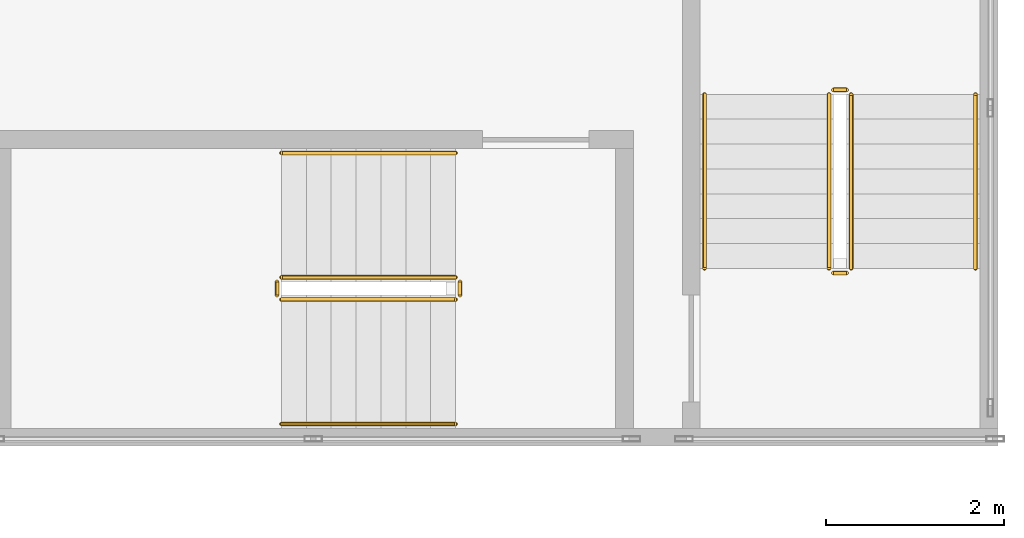
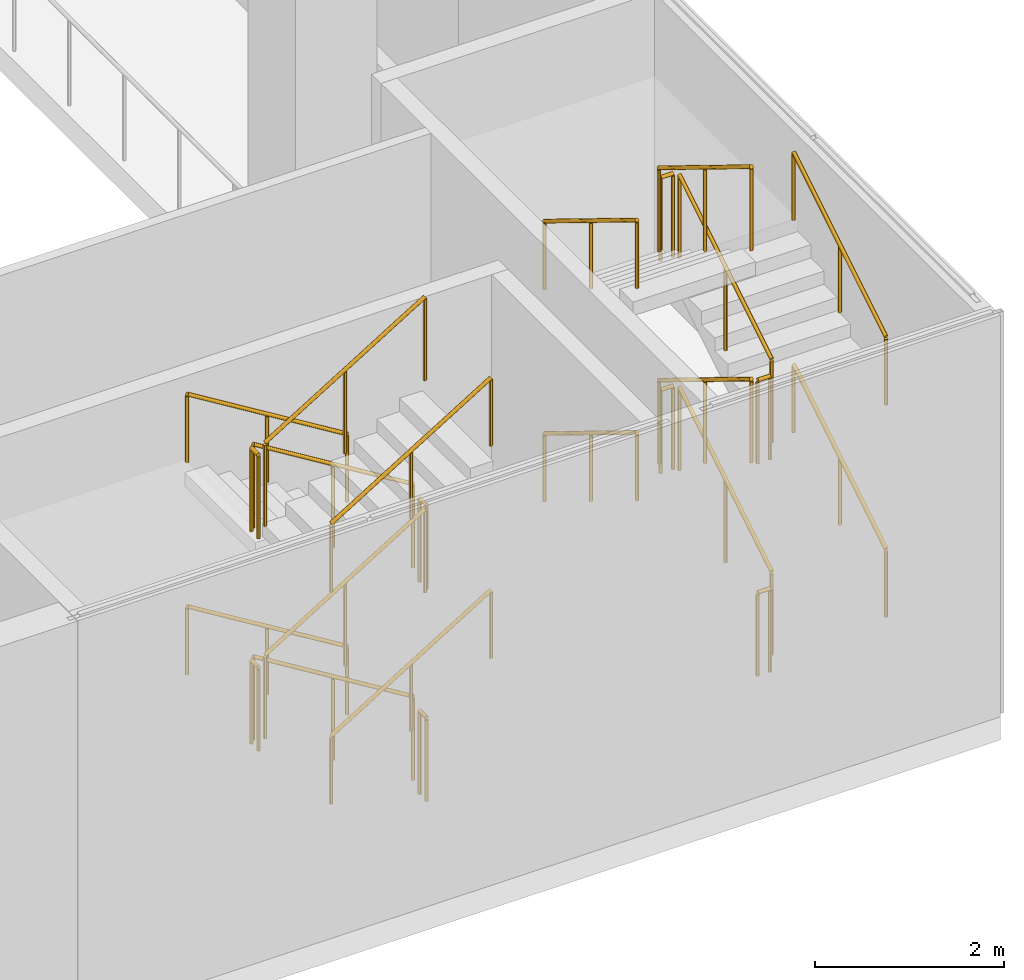
# One storey, part 21 of 23: 24 railings.
"""IFC4 building model written with IfcOpenShell, lengths in metres."""

from ifc_helpers import new_model, si_unit, direction, frame, origin, origin_2d, place, context, subcontext, project, spatial, circle, extrude, source, transform, mapped, material, type_object, element, save


model = new_model("IFC4")

# Units and contexts
model_context = context("Model", 3, precision=1e-05, world=origin(), true_north=direction((0.0, 1.0)))
body_context = subcontext(model_context, "Body", "Model", "MODEL_VIEW")
ifc_project = project(units=[si_unit("LENGTHUNIT", "METRE"), si_unit("AREAUNIT", "SQUARE_METRE"), si_unit("VOLUMEUNIT", "CUBIC_METRE"), si_unit("PLANEANGLEUNIT", "RADIAN"), si_unit("MASSUNIT", "GRAM", prefix="KILO")], contexts=[model_context])

# Site, building, storey
site_placement = place(None, origin())
site = spatial("IfcSite", under=ifc_project, at=site_placement, CompositionType="ELEMENT")
building_placement = place(site_placement, origin())
building = spatial("IfcBuilding", under=site, at=building_placement, Name="Khomas Fold Tower", CompositionType="ELEMENT")
storey_placement = place(building_placement, frame((0.0, 0.0, 13.0)))
storey = spatial("IfcBuildingStorey", under=building, at=storey_placement, Name="L02", CompositionType="ELEMENT", Elevation=13.0)

# Railings
ifc_material_1 = material(Name="Steel balustrade", Category="steel")
railing_type_1 = type_object("IfcRailingType", Name="Stair guard", PredefinedType="GUARDRAIL", material=ifc_material_1)
shared_shape_1 = source(origin(), body_context, "Body", "SweptSolid", [
    extrude(circle(Radius=0.02392578125, at=origin_2d()), frame((0.0, 0.0, 1.076171875), z_axis=(0.852240978134, 0.0, 0.523149419562), x_axis=(0.0, 1.0, 0.0)), (0.0, 0.0, 1.0), 2.2998046875),
    extrude(circle(Radius=0.02099609375, at=origin_2d()), origin(), (0.0, 0.0, 1.0), 1.052001953125),
    extrude(circle(Radius=0.02099609375, at=origin_2d()), frame((0.97998046875, 0.0, 0.6015625)), (0.0, 0.0, 1.0), 1.052001953125),
    extrude(circle(Radius=0.02099609375, at=origin_2d()), frame((1.9599609375, 0.0, 1.203125)), (0.0, 0.0, 1.0), 1.052001953125),
])
for number, where, name in (
    (1, (72.93994140625, 1.64990234375, 1.546875), "L02 PS3 stair guard 3"),
    (2, (72.93994140625, 1.64990234375, 4.296875), "L02 PS3 stair guard 7"),
):
    element("IfcRailing", number, at=place(storey_placement, frame(where)), inside=storey, type_object=railing_type_1, Name=name, PredefinedType="GUARDRAIL", context=body_context, shape_type="MappedRepresentation", body=[
        mapped(shared_shape_1, transform((0.0, 0.0, 0.0))),
    ])
shared_shape_2 = source(origin(), body_context, "Body", "SweptSolid", [
    extrude(circle(Radius=0.02392578125, at=origin_2d()), frame((0.0, 0.0, 1.076171875), z_axis=(-0.852240978134, 0.0, 0.523149419562), x_axis=(0.0, -1.0, 0.0)), (0.0, 0.0, 1.0), 2.2998046875),
    extrude(circle(Radius=0.02099609375, at=origin_2d()), origin(), (0.0, 0.0, 1.0), 1.052001953125),
    extrude(circle(Radius=0.02099609375, at=origin_2d()), frame((-0.97998046875, 0.0, 0.6015625)), (0.0, 0.0, 1.0), 1.052001953125),
    extrude(circle(Radius=0.02099609375, at=origin_2d()), frame((-1.9599609375, 0.0, 1.203125)), (0.0, 0.0, 1.0), 1.052001953125),
])
for number, where, name in (
    (3, (74.89990234375, 1.89990234375, 0.171875), "L02 PS3 stair guard 1"),
    (4, (74.89990234375, 1.89990234375, 2.921875), "L02 PS3 stair guard 5"),
):
    element("IfcRailing", number, at=place(storey_placement, frame(where)), inside=storey, type_object=railing_type_1, Name=name, PredefinedType="GUARDRAIL", context=body_context, shape_type="MappedRepresentation", body=[
        mapped(shared_shape_2, transform((0.0, 0.0, 0.0))),
    ])
ifc_material_2 = material(Name="Steel handrail", Category="steel")
railing_type_2 = type_object("IfcRailingType", Name="Stair handrail", PredefinedType="HANDRAIL", material=ifc_material_2)
shared_shape_3 = source(origin(), body_context, "Body", "SweptSolid", [
    extrude(circle(Radius=0.02392578125, at=origin_2d()), frame((0.0, 0.0, 0.8759765625), z_axis=(0.852240978134, 0.0, 0.523149419562), x_axis=(0.0, 1.0, 0.0)), (0.0, 0.0, 1.0), 2.2998046875),
    extrude(circle(Radius=0.02099609375, at=origin_2d()), origin(), (0.0, 0.0, 1.0), 0.851806640625),
    extrude(circle(Radius=0.02099609375, at=origin_2d()), frame((0.97998046875, 0.0, 0.6015625)), (0.0, 0.0, 1.0), 0.851806640625),
    extrude(circle(Radius=0.02099609375, at=origin_2d()), frame((1.9599609375, 0.0, 1.203125)), (0.0, 0.0, 1.0), 0.851806640625),
])
for number, where, name in (
    (5, (72.93994140625, 0.25, 1.546875), "L02 PS3 stair handrail 2"),
    (6, (72.93994140625, 0.25, 4.296875), "L02 PS3 stair handrail 4"),
):
    element("IfcRailing", number, at=place(storey_placement, frame(where)), inside=storey, type_object=railing_type_2, Name=name, PredefinedType="HANDRAIL", context=body_context, shape_type="MappedRepresentation", body=[
        mapped(shared_shape_3, transform((0.0, 0.0, 0.0))),
    ])
shared_shape_4 = source(origin(), body_context, "Body", "SweptSolid", [
    extrude(circle(Radius=0.02392578125, at=origin_2d()), frame((0.0, 0.0, 0.8759765625), z_axis=(-0.852240978134, 0.0, 0.523149419562), x_axis=(0.0, -1.0, 0.0)), (0.0, 0.0, 1.0), 2.2998046875),
    extrude(circle(Radius=0.02099609375, at=origin_2d()), origin(), (0.0, 0.0, 1.0), 0.851806640625),
    extrude(circle(Radius=0.02099609375, at=origin_2d()), frame((-0.97998046875, 0.0, 0.6015625)), (0.0, 0.0, 1.0), 0.851806640625),
    extrude(circle(Radius=0.02099609375, at=origin_2d()), frame((-1.9599609375, 0.0, 1.203125)), (0.0, 0.0, 1.0), 0.851806640625),
])
for number, where, name in (
    (7, (74.89990234375, 3.300048828125, 0.171875), "L02 PS3 stair handrail 1"),
    (8, (74.89990234375, 3.300048828125, 2.921875), "L02 PS3 stair handrail 3"),
):
    element("IfcRailing", number, at=place(storey_placement, frame(where)), inside=storey, type_object=railing_type_2, Name=name, PredefinedType="HANDRAIL", context=body_context, shape_type="MappedRepresentation", body=[
        mapped(shared_shape_4, transform((0.0, 0.0, 0.0))),
    ])
shared_shape_5 = source(origin(), body_context, "Body", "SweptSolid", [
    extrude(circle(Radius=0.02392578125, at=origin_2d()), frame((0.0, 0.0, 1.076171875), z_axis=(-1.0, 0.0, 0.0), x_axis=(0.0, -1.0, 0.0)), (0.0, 0.0, 1.0), 0.150146484375),
    extrude(circle(Radius=0.02099609375, at=origin_2d()), origin(), (0.0, 0.0, 1.0), 1.052001953125),
    extrude(circle(Radius=0.02099609375, at=origin_2d()), frame((-0.150146484375, 0.0, 0.0)), (0.0, 0.0, 1.0), 1.052001953125),
])
for number, where, name in (
    (9, (79.300048828125, 4.010009765625, 1.375), "L02 PS4 stair guard 2"),
    (10, (79.300048828125, 1.949951171875, 2.75), "L02 PS4 stair guard 4"),
    (11, (79.300048828125, 4.010009765625, 4.125), "L02 PS4 stair guard 6"),
    (12, (79.300048828125, 1.949951171875, 0.0), "L02 PS4 stair guard 8"),
):
    element("IfcRailing", number, at=place(storey_placement, frame(where)), inside=storey, type_object=railing_type_1, Name=name, PredefinedType="GUARDRAIL", context=body_context, shape_type="MappedRepresentation", body=[
        mapped(shared_shape_5, transform((0.0, 0.0, 0.0))),
    ])
shared_shape_6 = source(origin(), body_context, "Body", "SweptSolid", [
    extrude(circle(Radius=0.02392578125, at=origin_2d()), frame((0.0, 0.0, 1.076171875), z_axis=(0.0, 0.852240978134, 0.523149419562), x_axis=(-1.0, 0.0, 0.0)), (0.0, 0.0, 1.0), 2.2998046875),
    extrude(circle(Radius=0.02099609375, at=origin_2d()), origin(), (0.0, 0.0, 1.0), 1.052001953125),
    extrude(circle(Radius=0.02099609375, at=origin_2d()), frame((0.0, 0.97998046875, 0.6015625)), (0.0, 0.0, 1.0), 1.052001953125),
    extrude(circle(Radius=0.02099609375, at=origin_2d()), frame((0.0, 1.9599609375, 1.203125)), (0.0, 0.0, 1.0), 1.052001953125),
])
for number, where, name in (
    (13, (79.35009765625, 2.0, 0.171875), "L02 PS4 stair guard 1"),
    (14, (79.35009765625, 2.0, 2.921875), "L02 PS4 stair guard 5"),
):
    element("IfcRailing", number, at=place(storey_placement, frame(where)), inside=storey, type_object=railing_type_1, Name=name, PredefinedType="GUARDRAIL", context=body_context, shape_type="MappedRepresentation", body=[
        mapped(shared_shape_6, transform((0.0, 0.0, 0.0))),
    ])
shared_shape_7 = source(origin(), body_context, "Body", "SweptSolid", [
    extrude(circle(Radius=0.02392578125, at=origin_2d()), frame((0.0, 0.0, 1.076171875), z_axis=(0.0, -0.852240978134, 0.523149419562), x_axis=(1.0, 0.0, 0.0)), (0.0, 0.0, 1.0), 2.2998046875),
    extrude(circle(Radius=0.02099609375, at=origin_2d()), origin(), (0.0, 0.0, 1.0), 1.052001953125),
    extrude(circle(Radius=0.02099609375, at=origin_2d()), frame((0.0, -0.97998046875, 0.6015625)), (0.0, 0.0, 1.0), 1.052001953125),
    extrude(circle(Radius=0.02099609375, at=origin_2d()), frame((0.0, -1.9599609375, 1.203125)), (0.0, 0.0, 1.0), 1.052001953125),
])
for number, where, name in (
    (15, (79.10009765625, 3.9599609375, 1.546875), "L02 PS4 stair guard 3"),
    (16, (79.10009765625, 3.9599609375, 4.296875), "L02 PS4 stair guard 7"),
):
    element("IfcRailing", number, at=place(storey_placement, frame(where)), inside=storey, type_object=railing_type_1, Name=name, PredefinedType="GUARDRAIL", context=body_context, shape_type="MappedRepresentation", body=[
        mapped(shared_shape_7, transform((0.0, 0.0, 0.0))),
    ])
shared_shape_8 = source(origin(), body_context, "Body", "SweptSolid", [
    extrude(circle(Radius=0.02392578125, at=origin_2d()), frame((0.0, 0.0, 0.8759765625), z_axis=(0.0, 0.852240978134, 0.523149419562), x_axis=(-1.0, 0.0, 0.0)), (0.0, 0.0, 1.0), 2.2998046875),
    extrude(circle(Radius=0.02099609375, at=origin_2d()), origin(), (0.0, 0.0, 1.0), 0.851806640625),
    extrude(circle(Radius=0.02099609375, at=origin_2d()), frame((0.0, 0.97998046875, 0.6015625)), (0.0, 0.0, 1.0), 0.851806640625),
    extrude(circle(Radius=0.02099609375, at=origin_2d()), frame((0.0, 1.9599609375, 1.203125)), (0.0, 0.0, 1.0), 0.851806640625),
])
for number, where, name in (
    (17, (80.75, 2.0, 0.171875), "L02 PS4 stair handrail 1"),
    (18, (80.75, 2.0, 2.921875), "L02 PS4 stair handrail 3"),
):
    element("IfcRailing", number, at=place(storey_placement, frame(where)), inside=storey, type_object=railing_type_2, Name=name, PredefinedType="HANDRAIL", context=body_context, shape_type="MappedRepresentation", body=[
        mapped(shared_shape_8, transform((0.0, 0.0, 0.0))),
    ])
shared_shape_9 = source(origin(), body_context, "Body", "SweptSolid", [
    extrude(circle(Radius=0.02392578125, at=origin_2d()), frame((0.0, 0.0, 0.8759765625), z_axis=(0.0, -0.852240978134, 0.523149419562), x_axis=(1.0, 0.0, 0.0)), (0.0, 0.0, 1.0), 2.2998046875),
    extrude(circle(Radius=0.02099609375, at=origin_2d()), origin(), (0.0, 0.0, 1.0), 0.851806640625),
    extrude(circle(Radius=0.02099609375, at=origin_2d()), frame((0.0, -0.97998046875, 0.6015625)), (0.0, 0.0, 1.0), 0.851806640625),
    extrude(circle(Radius=0.02099609375, at=origin_2d()), frame((0.0, -1.9599609375, 1.203125)), (0.0, 0.0, 1.0), 0.851806640625),
])
for number, where, name in (
    (19, (77.699951171875, 3.9599609375, 1.546875), "L02 PS4 stair handrail 2"),
    (20, (77.699951171875, 3.9599609375, 4.296875), "L02 PS4 stair handrail 4"),
):
    element("IfcRailing", number, at=place(storey_placement, frame(where)), inside=storey, type_object=railing_type_2, Name=name, PredefinedType="HANDRAIL", context=body_context, shape_type="MappedRepresentation", body=[
        mapped(shared_shape_9, transform((0.0, 0.0, 0.0))),
    ])
shared_shape_10 = source(origin(), body_context, "Body", "SweptSolid", [
    extrude(circle(Radius=0.02392578125, at=origin_2d()), frame((0.0, 0.0, 1.076171875), z_axis=(0.0, -1.0, 0.0), x_axis=(1.0, 0.0, 0.0)), (0.0, 0.0, 1.0), 0.150146484375),
    extrude(circle(Radius=0.02099609375, at=origin_2d()), origin(), (0.0, 0.0, 1.0), 1.052001953125),
    extrude(circle(Radius=0.02099609375, at=origin_2d()), frame((0.0, -0.150146484375, 0.0)), (0.0, 0.0, 1.0), 1.052001953125),
])
for number, where, name in (
    (21, (72.889892578125, 1.85009765625, 1.375), "L02 PS3 stair guard 2"),
    (22, (74.949951171875, 1.85009765625, 2.75), "L02 PS3 stair guard 4"),
    (23, (72.889892578125, 1.85009765625, 4.125), "L02 PS3 stair guard 6"),
    (24, (74.949951171875, 1.85009765625, 0.0), "L02 PS3 stair guard 8"),
):
    element("IfcRailing", number, at=place(storey_placement, frame(where)), inside=storey, type_object=railing_type_1, Name=name, PredefinedType="GUARDRAIL", context=body_context, shape_type="MappedRepresentation", body=[
        mapped(shared_shape_10, transform((0.0, 0.0, 0.0))),
    ])

save(model, "model.ifc")
